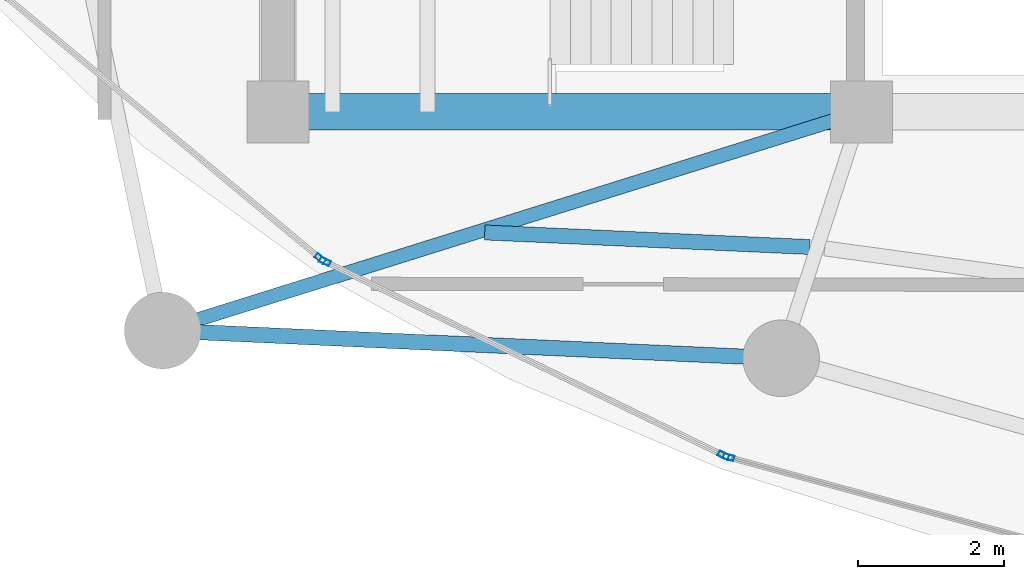
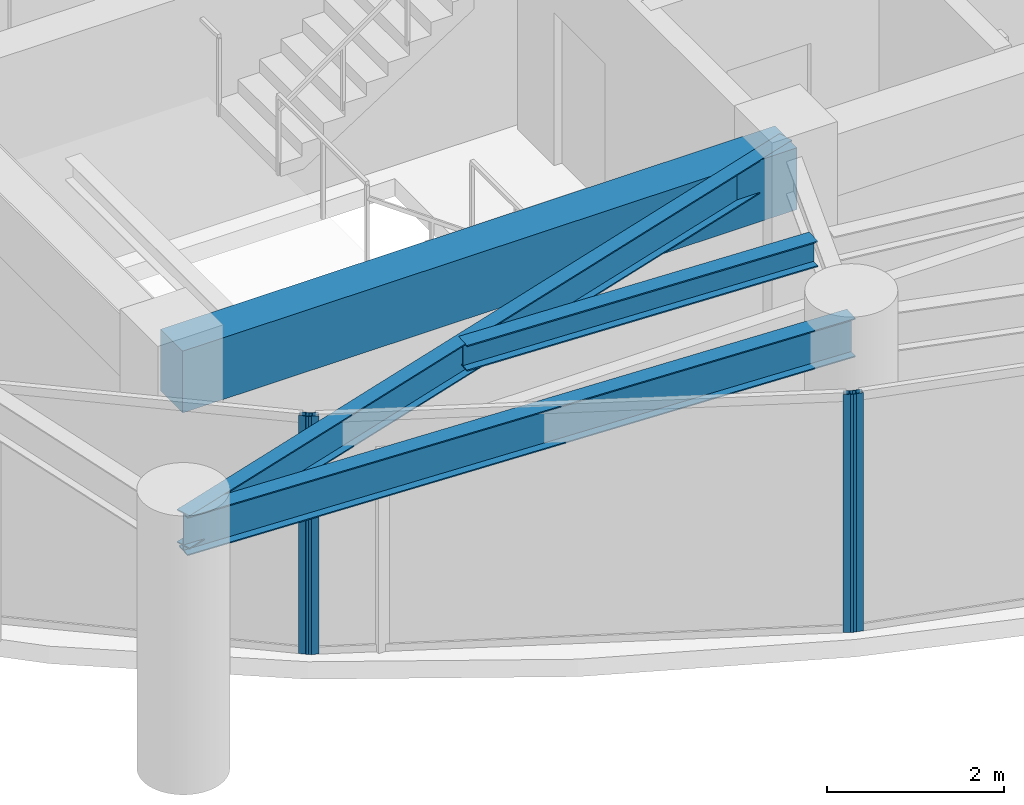
# One storey, part 2 of 31: 4 beams, 4 members, 3 elements without a shape of their own.
"""IFC4 building model written with IfcOpenShell, lengths in metres."""

from ifc_helpers import new_model, si_unit, direction, frame, origin, origin_2d, place, context, subcontext, project, spatial, rectangle, hollow_rectangle, i_section, extrude, material, layer, layer_set, material_profile, profile_set, type_object, element, aggregate, save


model = new_model("IFC4")

# Units and contexts
model_context = context("Model", 3, precision=1e-05, world=origin(), true_north=direction((0.0, 1.0)))
body_context = subcontext(model_context, "Body", "Model", "MODEL_VIEW")
ifc_project = project(units=[si_unit("LENGTHUNIT", "METRE"), si_unit("AREAUNIT", "SQUARE_METRE"), si_unit("VOLUMEUNIT", "CUBIC_METRE"), si_unit("PLANEANGLEUNIT", "RADIAN"), si_unit("MASSUNIT", "GRAM", prefix="KILO")], contexts=[model_context])

# Site, building, storey
site_placement = place(None, origin())
site = spatial("IfcSite", under=ifc_project, at=site_placement, CompositionType="ELEMENT")
building_placement = place(site_placement, origin())
building = spatial("IfcBuilding", under=site, at=building_placement, Name="Kazevale Care Tower and Concert Hall", CompositionType="ELEMENT")
storey_placement = place(building_placement, frame((0.0, 0.0, 187.199951171875)))
storey = spatial("IfcBuildingStorey", under=building, at=storey_placement, Name="L49", CompositionType="ELEMENT", Elevation=187.199951171875)

# Curtain wall, member
ifc_material_1 = material(Name="Aluminium 6063-T6 and Low-E Glass", Category="aluminium")
ifc_layer = layer(ifc_material_1, 0.179931640625)
ifc_layer_set = layer_set([ifc_layer], Name="Aluminium 6063-T6 and Low-E Glass")
curtain_wall_type = type_object("IfcCurtainWallType", Name="Sheltered Concave Balcony Curtain Wall CW-5", PredefinedType="NOTDEFINED", material=ifc_layer_set)
curtain_wall_1_placement = place(storey_placement, origin())
curtain_wall_1 = element("IfcCurtainWall", 1, at=curtain_wall_1_placement, inside=storey, type_object=curtain_wall_type, Name="cw:L49:f08", PredefinedType="NOTDEFINED")
ifc_material_2 = material(Name="Aluminium 6063-T6", Category="aluminium")
ifc_material_profile_1 = material_profile(ifc_material_2, hollow_rectangle(XDim=0.074951171875, YDim=0.14990234375, WallThickness=0.00390625, at=origin_2d()), Name="ALU75x150x4")
ifc_profile_set_1 = profile_set([ifc_material_profile_1], Name="Aluminium 6063-T6")
member_type = type_object("IfcMemberType", Name="CW-5 Mullion ALU75x150x4", PredefinedType="MULLION", material=ifc_profile_set_1)
member_1_placement = place(storey_placement, frame((28.18017578125, 18.863037109375, 0.0), z_axis=(0.0, 0.0, 1.0), x_axis=(-0.262848968947, -0.964836991167, 0.0)))
member_1 = element("IfcMember", 2, at=member_1_placement, type_object=member_type, Name="CW-5 mullion 2", PredefinedType="MULLION", context=body_context, shape_type="SweptSolid", body=[
    extrude(hollow_rectangle(XDim=0.074951171875, YDim=0.14990234375, WallThickness=0.00390625, at=origin_2d()), origin(), (0.0, 0.0, 1.0), 3.280029296875),
])
aggregate(curtain_wall_1, [member_1])

# Curtain wall, members
curtain_wall_2_placement = place(storey_placement, origin())
curtain_wall_2 = element("IfcCurtainWall", 3, at=curtain_wall_2_placement, inside=storey, type_object=curtain_wall_type, Name="cw:L49:f09", PredefinedType="NOTDEFINED")
member_2_placement = place(storey_placement, frame((28.1103515625, 18.889404296875, 0.0), z_axis=(0.0, 0.0, 1.0), x_axis=(-0.437238357087, -0.89934566163, 0.0)))
member_2 = element("IfcMember", 4, at=member_2_placement, type_object=member_type, Name="CW-5 mullion 1", PredefinedType="MULLION", context=body_context, shape_type="SweptSolid", body=[
    extrude(hollow_rectangle(XDim=0.074951171875, YDim=0.14990234375, WallThickness=0.00390625, at=origin_2d()), origin(), (0.0, 0.0, 1.0), 3.280029296875),
])
member_3_placement = place(storey_placement, frame((22.644775390625, 21.546630859375, 0.0), z_axis=(0.0, 0.0, 1.0), x_axis=(-0.437238357087, -0.89934566163, 0.0)))
member_3 = element("IfcMember", 5, at=member_3_placement, type_object=member_type, Name="CW-5 mullion 2", PredefinedType="MULLION", context=body_context, shape_type="SweptSolid", body=[
    extrude(hollow_rectangle(XDim=0.074951171875, YDim=0.14990234375, WallThickness=0.00390625, at=origin_2d()), origin(), (0.0, 0.0, 1.0), 3.280029296875),
])
aggregate(curtain_wall_2, [member_2, member_3])

# Curtain wall, member
curtain_wall_3_placement = place(storey_placement, origin())
curtain_wall_3 = element("IfcCurtainWall", 6, at=curtain_wall_3_placement, inside=storey, type_object=curtain_wall_type, Name="cw:L49:f10", PredefinedType="NOTDEFINED")
member_4_placement = place(storey_placement, frame((22.582275390625, 21.5869140625, 0.0), z_axis=(0.0, 0.0, 1.0), x_axis=(-0.639961217204, -0.768407210062, 0.0)))
member_4 = element("IfcMember", 7, at=member_4_placement, type_object=member_type, Name="CW-5 mullion 1", PredefinedType="MULLION", context=body_context, shape_type="SweptSolid", body=[
    extrude(hollow_rectangle(XDim=0.074951171875, YDim=0.14990234375, WallThickness=0.00390625, at=origin_2d()), origin(), (0.0, 0.0, 1.0), 3.280029296875),
])
aggregate(curtain_wall_3, [member_4])

# Beams
ifc_material_3 = material(Name="Concrete C60", Category="concrete")
ifc_material_profile_2 = material_profile(ifc_material_3, rectangle(XDim=0.5, YDim=0.85009765625, at=origin_2d()), Name="RC-B500x850")
ifc_profile_set_2 = profile_set([ifc_material_profile_2], Name="Concrete C60")
beam_type_1 = type_object("IfcBeamType", Name="Core Coupling Beam RC500x850", PredefinedType="LINTEL", material=ifc_profile_set_2)
beam_1_placement = place(storey_placement, frame((22.0, 23.60009765625, 2.85498046875), z_axis=(1.0, 0.0, 0.0), x_axis=(0.0, 1.0, 0.0)))
element("IfcBeam", 8, at=beam_1_placement, inside=storey, type_object=beam_type_1, Name="beam:L49:coretie:1", PredefinedType="LINTEL", context=body_context, shape_type="SweptSolid", body=[
    extrude(rectangle(XDim=0.5, YDim=0.85009765625, at=origin_2d()), origin(), (0.0, 0.0, 1.0), 8.0),
])
ifc_material_4 = material(Name="Steel ASTM A572 Gr 50", Category="steel")
ifc_material_profile_3 = material_profile(ifc_material_4, i_section(OverallWidth=0.19091796875, OverallDepth=0.4599609375, WebThickness=0.010009765625, FlangeThickness=0.01611328125, at=origin_2d()), Name="W460x82")
ifc_profile_set_3 = profile_set([ifc_material_profile_3], Name="Steel ASTM A572 Gr 50")
beam_type_2 = type_object("IfcBeamType", Name="Radial Floor Beam W460x82", PredefinedType="BEAM", material=ifc_profile_set_3)
beam_2_placement = place(storey_placement, frame((30.0, 23.60009765625, 3.050048828125), z_axis=(-0.954303255322, -0.298839918486, 0.0), x_axis=(0.298839918486, -0.954303255322, 0.0)))
element("IfcBeam", 9, at=beam_2_placement, inside=storey, type_object=beam_type_2, Name="beam:L49:rad:10", PredefinedType="BEAM", context=body_context, shape_type="SweptSolid", body=[
    extrude(i_section(OverallWidth=0.19091796875, OverallDepth=0.4599609375, WebThickness=0.010009765625, FlangeThickness=0.01611328125, at=origin_2d()), origin(), (0.0, 0.0, 1.0), 10.038818359375),
])
ifc_material_profile_4 = material_profile(ifc_material_4, i_section(OverallWidth=0.205078125, OverallDepth=0.35400390625, WebThickness=0.009521484375, FlangeThickness=0.016845703125, at=origin_2d()), Name="W360x79")
ifc_profile_set_4 = profile_set([ifc_material_profile_4], Name="Steel ASTM A572 Gr 50")
beam_type_3 = type_object("IfcBeamType", Name="Secondary Floor Joist W360x79", PredefinedType="JOIST", material=ifc_profile_set_4)
beam_3_placement = place(storey_placement, frame((24.8359375, 21.945068359375, 3.10302734375), z_axis=(0.999003687274, -0.044627713502, 0.0), x_axis=(0.044627713502, 0.999003687274, 0.0)))
element("IfcBeam", 10, at=beam_3_placement, inside=storey, type_object=beam_type_3, Name="beam:L49:joist:10", PredefinedType="JOIST", context=body_context, shape_type="SweptSolid", body=[
    extrude(i_section(OverallWidth=0.205078125, OverallDepth=0.35400390625, WebThickness=0.009521484375, FlangeThickness=0.016845703125, at=origin_2d()), origin(), (0.0, 0.0, 1.0), 4.45849609375),
])
ifc_material_profile_5 = material_profile(ifc_material_4, i_section(OverallWidth=0.208984375, OverallDepth=0.532958984375, WebThickness=0.01025390625, FlangeThickness=0.015625, at=origin_2d()), Name="W530x92")
ifc_profile_set_5 = profile_set([ifc_material_profile_5], Name="Steel ASTM A572 Gr 50")
beam_type_4 = type_object("IfcBeamType", Name="Upper Ring Beam W530x92", PredefinedType="BEAM", material=ifc_profile_set_5)
beam_4_placement = place(storey_placement, frame((20.419921875, 20.60009765625, 3.013427734375), z_axis=(0.998996808771, -0.044781425441, 0.0), x_axis=(0.044781425441, 0.998996808771, 0.0)))
element("IfcBeam", 11, at=beam_4_placement, inside=storey, type_object=beam_type_4, Name="beam:L49:ring:10", PredefinedType="BEAM", context=body_context, shape_type="SweptSolid", body=[
    extrude(i_section(OverallWidth=0.208984375, OverallDepth=0.532958984375, WebThickness=0.01025390625, FlangeThickness=0.015625, at=origin_2d()), origin(), (0.0, 0.0, 1.0), 8.488525390625),
])

save(model, "model.ifc")
